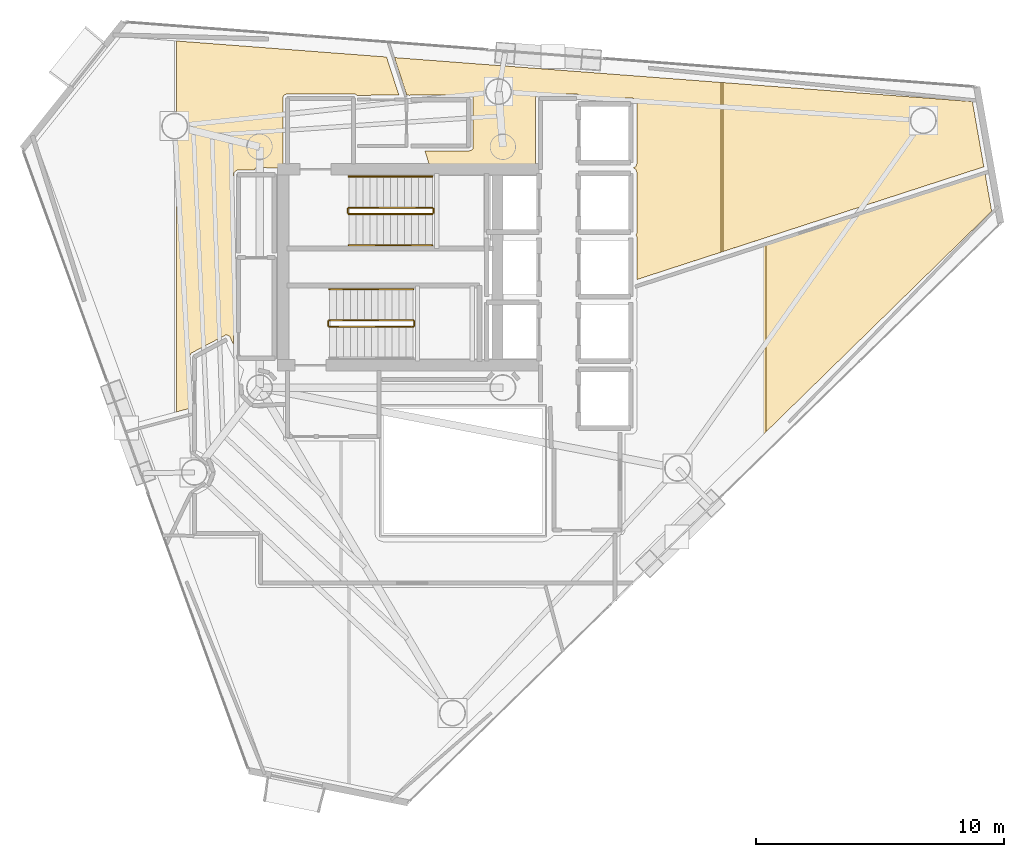
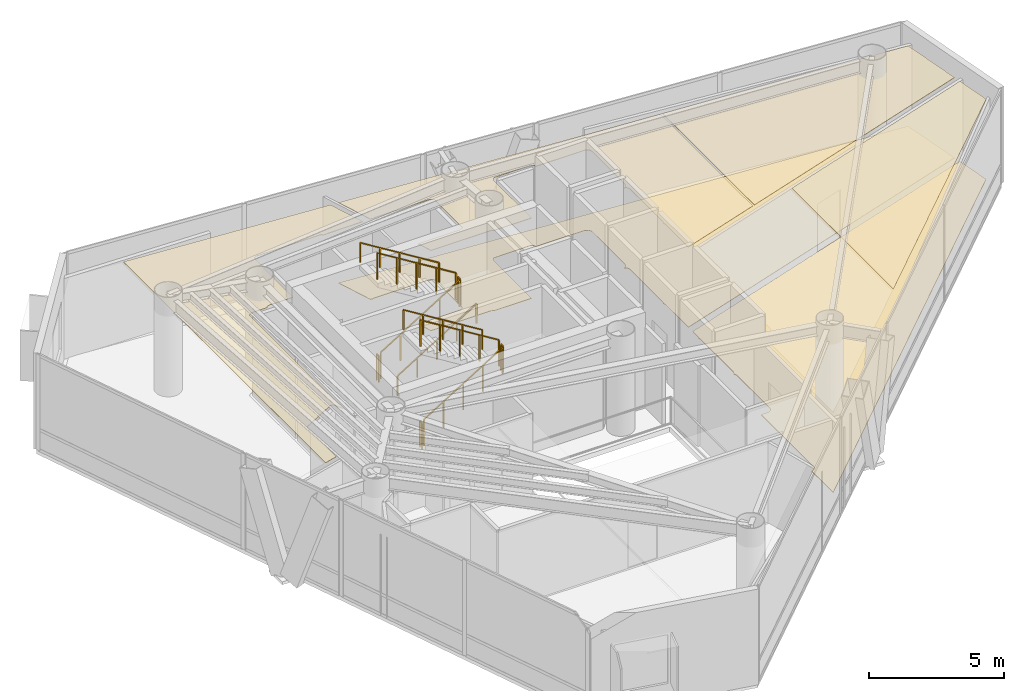
# One storey, part 21 of 21: 11 railings, 6 coverings.
"""IFC4 building model written with IfcOpenShell, lengths in metres."""

from ifc_helpers import new_model, si_unit, direction, frame, origin, origin_2d, place, context, subcontext, project, spatial, polyline, rectangle, outline, extrude, material, layer, layer_set, type_object, element, save


model = new_model("IFC4")

# Units and contexts
model_context = context("Model", 3, precision=1e-05, world=origin(), true_north=direction((0.0, 1.0)))
body_context = subcontext(model_context, "Body", "Model", "MODEL_VIEW")
ifc_project = project(units=[si_unit("LENGTHUNIT", "METRE"), si_unit("AREAUNIT", "SQUARE_METRE"), si_unit("VOLUMEUNIT", "CUBIC_METRE"), si_unit("PLANEANGLEUNIT", "RADIAN"), si_unit("MASSUNIT", "GRAM", prefix="KILO")], contexts=[model_context])

# Site, building, storey
site_placement = place(None, origin())
site = spatial("IfcSite", under=ifc_project, at=site_placement, CompositionType="ELEMENT")
building_placement = place(site_placement, origin())
building = spatial("IfcBuilding", under=site, at=building_placement, Name="Qianvela Tower", CompositionType="ELEMENT")
storey_placement = place(building_placement, frame((0.0, 0.0, 234.5)))
storey = spatial("IfcBuildingStorey", under=building, at=storey_placement, Name="L60", CompositionType="ELEMENT", Elevation=234.5)

# Coverings
ifc_material_1 = material(Name="Perforated Mineral Acoustic Ceiling Tile")
ifc_layer_1 = layer(ifc_material_1, 0.02490234375)
ifc_layer_set_1 = layer_set([ifc_layer_1], Name="Perforated Mineral Acoustic Ceiling Tile")
covering_type_1 = type_object("IfcCoveringType", Name="COV-CEIL-ACOUSTIC-25", PredefinedType="CEILING", material=ifc_layer_set_1)
covering_1_placement = place(storey_placement, frame((0.0, 0.0, 3.614990234375)))
element("IfcCovering", 1, at=covering_1_placement, inside=storey, type_object=covering_type_1, Name="L60 Acoustic Ceiling Bay 2 L60 Sky Transfer Reception", PredefinedType="CEILING", context=body_context, shape_type="SweptSolid", body=[
    extrude(outline(polyline([(57.82421875, 32.446044921875), (58.086669921875, 30.9541015625), (49.005615234375, 22.076171875), (49.005615234375, 29.580810546875), (57.82421875, 32.446044921875)])), origin(), (0.0, 0.0, 1.0), 0.02490234375),
])
covering_2_placement = place(storey_placement, frame((0.0, 0.0, 3.614990234375)))
element("IfcCovering", 2, at=covering_2_placement, inside=storey, type_object=covering_type_1, Name="L60 Acoustic Ceiling Bay 1 L60 Graduate Study Lounge", PredefinedType="CEILING", context=body_context, shape_type="SweptSolid", body=[
    extrude(outline(polyline([(43.722412109375, 32.739013671875), (43.729248046875, 32.74267578125), (43.73583984375, 32.746826171875), (43.741943359375, 32.751953125), (43.74755859375, 32.757568359375), (43.75244140625, 32.763427734375), (43.7568359375, 32.77001953125), (43.760498046875, 32.777099609375), (43.763427734375, 32.7841796875), (43.79541015625, 32.873046875), (43.7978515625, 32.8818359375), (43.799560546875, 32.890869140625), (43.800048828125, 32.89990234375), (43.800048828125, 35.300048828125), (43.799560546875, 35.30908203125), (43.7978515625, 35.318115234375), (43.79541015625, 35.326904296875), (43.763427734375, 35.415771484375), (43.7607421875, 35.422607421875), (43.75732421875, 35.42919921875), (43.75341796875, 35.435302734375), (43.748779296875, 35.441162109375), (43.74365234375, 35.4462890625), (43.73828125, 35.451416015625), (43.732421875, 35.45556640625), (43.725830078125, 35.45947265625), (43.63134765625, 35.510009765625), (43.624267578125, 35.51318359375), (43.616943359375, 35.515869140625), (43.609375, 35.517822265625), (43.6015625, 35.518798828125), (43.59375, 35.519287109375), (41.513916015625, 35.52001953125), (41.51025390625, 35.564208984375), (41.50927734375, 35.57177734375), (41.5078125, 35.5791015625), (41.50537109375, 35.586181640625), (41.502197265625, 35.59326171875), (41.49853515625, 35.599853515625), (41.494140625, 35.606201171875), (41.4892578125, 35.612060546875), (41.48388671875, 35.6171875), (41.47802734375, 35.6220703125), (41.4716796875, 35.626220703125), (41.401123046875, 35.668701171875), (41.394775390625, 35.672119140625), (41.387939453125, 35.675048828125), (41.381103515625, 35.67724609375), (41.373779296875, 35.6787109375), (41.36669921875, 35.6796875), (41.359375, 35.679931640625), (39.834716796875, 35.66650390625), (39.8271484375, 35.666015625), (39.8193359375, 35.664794921875), (39.811767578125, 35.662841796875), (39.804443359375, 35.660400390625), (39.797607421875, 35.656982421875), (39.790771484375, 35.65283203125), (39.78466796875, 35.648193359375), (39.77880859375, 35.642822265625), (39.773681640625, 35.63720703125), (39.76904296875, 35.630859375), (39.764892578125, 35.624267578125), (39.7294921875, 35.5576171875), (39.72607421875, 35.550537109375), (39.723388671875, 35.543212890625), (39.721435546875, 35.53564453125), (39.720458984375, 35.52783203125), (39.719970703125, 35.52001953125), (39.719970703125, 32.719970703125), (38.125, 32.719970703125), (38.03369140625, 32.762451171875), (38.025634765625, 32.765625), (38.017333984375, 32.76806640625), (38.0087890625, 32.76953125), (38.0, 32.77001953125), (35.4580078125, 32.77001953125), (35.256591796875, 33.389892578125), (37.050048828125, 33.389892578125), (37.057861328125, 33.390380859375), (37.065673828125, 33.3916015625), (37.0732421875, 33.393310546875), (37.08056640625, 33.39599609375), (37.087646484375, 33.3994140625), (37.154296875, 33.43505859375), (37.160888671875, 33.43896484375), (37.167236328125, 33.443603515625), (37.173095703125, 33.448974609375), (37.17822265625, 33.45458984375), (37.182861328125, 33.4609375), (37.18701171875, 33.467529296875), (37.190185546875, 33.474609375), (37.193115234375, 33.482177734375), (37.19482421875, 33.489501953125), (37.196044921875, 33.497314453125), (37.196533203125, 33.505126953125), (37.20654296875, 35.502685546875), (37.206298828125, 35.51025390625), (37.205078125, 35.517578125), (37.20361328125, 35.52490234375), (37.201171875, 35.5322265625), (37.197998046875, 35.5390625), (37.1943359375, 35.545654296875), (37.190185546875, 35.5517578125), (37.185302734375, 35.5576171875), (37.179931640625, 35.562744140625), (37.17431640625, 35.5673828125), (37.09765625, 35.624267578125), (37.091552734375, 35.62841796875), (37.085205078125, 35.6318359375), (37.07861328125, 35.634765625), (37.071533203125, 35.636962890625), (37.064453125, 35.638671875), (37.057373046875, 35.6396484375), (37.050048828125, 35.639892578125), (34.699951171875, 35.639892578125), (34.69189453125, 35.6396484375), (34.683837890625, 35.638427734375), (34.676025390625, 35.63623046875), (34.66845703125, 35.633544921875), (34.6611328125, 35.6298828125), (34.654296875, 35.62548828125), (34.632568359375, 35.610595703125), (34.628173828125, 35.61474609375), (34.621826171875, 35.6201171875), (34.614990234375, 35.624755859375), (34.60791015625, 35.628662109375), (34.60009765625, 35.6318359375), (34.59228515625, 35.63427734375), (34.583984375, 35.6357421875), (34.57568359375, 35.636474609375), (34.526123046875, 35.63818359375), (34.036865234375, 37.14404296875), (47.1884765625, 36.14306640625), (47.1884765625, 29.3056640625), (43.800048828125, 28.20458984375), (43.800048828125, 29.89990234375), (43.799560546875, 29.907958984375), (43.79833984375, 29.915771484375), (43.79638671875, 29.923583984375), (43.793701171875, 29.93115234375), (43.7646484375, 30.0), (43.793701171875, 30.06884765625), (43.79638671875, 30.076416015625), (43.79833984375, 30.084228515625), (43.799560546875, 30.092041015625), (43.800048828125, 30.10009765625), (43.800048828125, 32.5), (43.799560546875, 32.509033203125), (43.7978515625, 32.518310546875), (43.79541015625, 32.527099609375), (43.763427734375, 32.61572265625), (43.7607421875, 32.62255859375), (43.75732421875, 32.629150390625), (43.75341796875, 32.63525390625), (43.748779296875, 32.64111328125), (43.74365234375, 32.646484375), (43.73828125, 32.6513671875), (43.732421875, 32.655517578125), (43.725830078125, 32.659423828125), (43.6455078125, 32.702392578125), (43.722412109375, 32.739013671875)])), origin(), (0.0, 0.0, 1.0), 0.02490234375),
])
covering_3_placement = place(storey_placement, frame((0.0, 0.0, 3.614990234375)))
element("IfcCovering", 3, at=covering_3_placement, inside=storey, type_object=covering_type_1, Name="L60 Acoustic Ceiling Bay 2 L60 Graduate Study Lounge", PredefinedType="CEILING", context=body_context, shape_type="SweptSolid", body=[
    extrude(outline(polyline([(57.309326171875, 35.37255859375), (57.771728515625, 32.744384765625), (47.268310546875, 29.331787109375), (47.268310546875, 36.136962890625), (57.309326171875, 35.37255859375)])), origin(), (0.0, 0.0, 1.0), 0.02490234375),
])
covering_4_placement = place(storey_placement, frame((0.0, 0.0, 3.614990234375)))
element("IfcCovering", 4, at=covering_4_placement, inside=storey, type_object=covering_type_1, Name="L60 Acoustic Ceiling Bay 2 L60 Shared Sky Kitchen and Cafe", PredefinedType="CEILING", context=body_context, shape_type="SweptSolid", body=[
    extrude(outline(polyline([(27.566162109375, 29.150634765625), (27.5634765625, 29.143310546875), (27.5615234375, 29.135498046875), (27.560302734375, 29.127685546875), (27.56005859375, 29.1201171875), (27.56005859375, 25.567626953125), (27.406005859375, 25.892333984375), (27.402099609375, 25.8994140625), (27.397705078125, 25.906005859375), (27.392578125, 25.912353515625), (27.38671875, 25.91796875), (27.38037109375, 25.923095703125), (27.37353515625, 25.927490234375), (27.306396484375, 25.966064453125), (27.29931640625, 25.969482421875), (27.291748046875, 25.972412109375), (27.283935546875, 25.974609375), (27.27587890625, 25.97607421875), (27.26806640625, 25.9765625), (27.260009765625, 25.976318359375), (27.251953125, 25.97509765625), (27.244140625, 25.973388671875), (27.236572265625, 25.970703125), (27.229248046875, 25.96728515625), (25.868408203125, 25.2509765625), (25.861572265625, 25.246826171875), (25.85498046875, 25.2421875), (25.84912109375, 25.23681640625), (25.84375, 25.23095703125), (25.839111328125, 25.224609375), (25.8349609375, 25.2177734375), (25.79931640625, 25.1513671875), (25.796142578125, 25.144287109375), (25.79345703125, 25.13671875), (25.79150390625, 25.129150390625), (25.790283203125, 25.121337890625), (25.7900390625, 25.113525390625), (25.7900390625, 23.017578125), (25.2509765625, 22.873291015625), (25.2509765625, 37.81298828125), (33.71337890625, 37.168701171875), (34.21044921875, 35.638916015625), (32.5244140625, 35.620361328125), (32.468994140625, 35.6630859375), (32.462890625, 35.66748046875), (32.456298828125, 35.67138671875), (32.449462890625, 35.67431640625), (32.4423828125, 35.6767578125), (32.43505859375, 35.6787109375), (32.427490234375, 35.6796875), (32.419921875, 35.679931640625), (29.699951171875, 35.679931640625), (29.692138671875, 35.6796875), (29.684326171875, 35.678466796875), (29.6767578125, 35.676513671875), (29.66943359375, 35.673828125), (29.662353515625, 35.670654296875), (29.595703125, 35.635009765625), (29.589111328125, 35.631103515625), (29.582763671875, 35.626220703125), (29.576904296875, 35.62109375), (29.57177734375, 35.615234375), (29.567138671875, 35.60888671875), (29.56298828125, 35.602294921875), (29.559814453125, 35.59521484375), (29.556884765625, 35.587890625), (29.55517578125, 35.580322265625), (29.553955078125, 35.572509765625), (29.553466796875, 35.564697265625), (29.540283203125, 32.700439453125), (28.54296875, 32.709716796875), (28.53662109375, 32.70947265625), (28.530029296875, 32.708740234375), (28.4677734375, 32.69921875), (28.460205078125, 32.697509765625), (28.452880859375, 32.6953125), (28.446044921875, 32.6923828125), (28.439208984375, 32.688720703125), (28.432861328125, 32.6845703125), (28.427001953125, 32.6796875), (28.42138671875, 32.674560546875), (28.41650390625, 32.668701171875), (28.412109375, 32.662353515625), (28.408447265625, 32.65576171875), (28.405517578125, 32.648681640625), (28.403076171875, 32.6416015625), (28.4013671875, 32.634033203125), (28.400390625, 32.62646484375), (28.39892578125, 32.610107421875), (27.712158203125, 32.609619140625), (27.70361328125, 32.609130859375), (27.6953125, 32.60791015625), (27.687255859375, 32.605712890625), (27.679443359375, 32.6025390625), (27.672119140625, 32.598876953125), (27.664794921875, 32.59423828125), (27.658447265625, 32.5888671875), (27.587890625, 32.52490234375), (27.581787109375, 32.51904296875), (27.57666015625, 32.512451171875), (27.572265625, 32.505615234375), (27.568359375, 32.498046875), (27.5654296875, 32.490234375), (27.563232421875, 32.482177734375), (27.56201171875, 32.47412109375), (27.5615234375, 32.465576171875), (27.56005859375, 29.280029296875), (27.560302734375, 29.272216796875), (27.5615234375, 29.264404296875), (27.5634765625, 29.2568359375), (27.566162109375, 29.24951171875), (27.58642578125, 29.199951171875), (27.566162109375, 29.150634765625)])), origin(), (0.0, 0.0, 1.0), 0.02490234375),
])
ifc_material_2 = material(Name="Engineered Acoustic Oak Timber Flooring", Category="wood")
ifc_layer_2 = layer(ifc_material_2, 0.02001953125)
ifc_layer_set_2 = layer_set([ifc_layer_2], Name="Engineered Acoustic Oak Timber Flooring")
covering_type_2 = type_object("IfcCoveringType", Name="COV-FLOOR-OAK-20", PredefinedType="FLOORING", material=ifc_layer_set_2)
covering_5_placement = place(storey_placement, origin())
element("IfcCovering", 5, at=covering_5_placement, inside=storey, type_object=covering_type_2, Name="L60 Finish Flooring L60 Graduate Study Lounge", PredefinedType="FLOORING", context=body_context, shape_type="SweptSolid", body=[
    extrude(outline(polyline([(43.6455078125, 32.702392578125), (43.722412109375, 32.739013671875), (43.729248046875, 32.74267578125), (43.73583984375, 32.746826171875), (43.741943359375, 32.751953125), (43.74755859375, 32.757568359375), (43.75244140625, 32.763427734375), (43.7568359375, 32.77001953125), (43.760498046875, 32.777099609375), (43.763427734375, 32.7841796875), (43.79541015625, 32.873046875), (43.7978515625, 32.8818359375), (43.799560546875, 32.890869140625), (43.800048828125, 32.89990234375), (43.800048828125, 35.300048828125), (43.799560546875, 35.30908203125), (43.7978515625, 35.318115234375), (43.79541015625, 35.326904296875), (43.763427734375, 35.415771484375), (43.7607421875, 35.422607421875), (43.75732421875, 35.42919921875), (43.75341796875, 35.435302734375), (43.748779296875, 35.441162109375), (43.74365234375, 35.4462890625), (43.73828125, 35.451416015625), (43.732421875, 35.45556640625), (43.725830078125, 35.45947265625), (43.63134765625, 35.510009765625), (43.624267578125, 35.51318359375), (43.616943359375, 35.515869140625), (43.609375, 35.517822265625), (43.6015625, 35.518798828125), (43.59375, 35.519287109375), (41.513916015625, 35.52001953125), (41.51025390625, 35.564208984375), (41.50927734375, 35.57177734375), (41.5078125, 35.5791015625), (41.50537109375, 35.586181640625), (41.502197265625, 35.59326171875), (41.49853515625, 35.599853515625), (41.494140625, 35.606201171875), (41.4892578125, 35.612060546875), (41.48388671875, 35.6171875), (41.47802734375, 35.6220703125), (41.4716796875, 35.626220703125), (41.401123046875, 35.668701171875), (41.394775390625, 35.672119140625), (41.387939453125, 35.675048828125), (41.381103515625, 35.67724609375), (41.373779296875, 35.6787109375), (41.36669921875, 35.6796875), (41.359375, 35.679931640625), (39.834716796875, 35.66650390625), (39.8271484375, 35.666015625), (39.8193359375, 35.664794921875), (39.811767578125, 35.662841796875), (39.804443359375, 35.660400390625), (39.797607421875, 35.656982421875), (39.790771484375, 35.65283203125), (39.78466796875, 35.648193359375), (39.77880859375, 35.642822265625), (39.773681640625, 35.63720703125), (39.76904296875, 35.630859375), (39.764892578125, 35.624267578125), (39.7294921875, 35.5576171875), (39.72607421875, 35.550537109375), (39.723388671875, 35.543212890625), (39.721435546875, 35.53564453125), (39.720458984375, 35.52783203125), (39.719970703125, 35.52001953125), (39.719970703125, 32.719970703125), (38.125, 32.719970703125), (38.03369140625, 32.762451171875), (38.025634765625, 32.765625), (38.017333984375, 32.76806640625), (38.0087890625, 32.76953125), (38.0, 32.77001953125), (35.4580078125, 32.77001953125), (35.256591796875, 33.389892578125), (37.050048828125, 33.389892578125), (37.057861328125, 33.390380859375), (37.065673828125, 33.3916015625), (37.0732421875, 33.393310546875), (37.08056640625, 33.39599609375), (37.087646484375, 33.3994140625), (37.154296875, 33.43505859375), (37.160888671875, 33.43896484375), (37.167236328125, 33.443603515625), (37.173095703125, 33.448974609375), (37.17822265625, 33.45458984375), (37.182861328125, 33.4609375), (37.18701171875, 33.467529296875), (37.190185546875, 33.474609375), (37.193115234375, 33.482177734375), (37.19482421875, 33.489501953125), (37.196044921875, 33.497314453125), (37.196533203125, 33.505126953125), (37.20654296875, 35.502685546875), (37.206298828125, 35.51025390625), (37.205078125, 35.517578125), (37.20361328125, 35.52490234375), (37.201171875, 35.5322265625), (37.197998046875, 35.5390625), (37.1943359375, 35.545654296875), (37.190185546875, 35.5517578125), (37.185302734375, 35.5576171875), (37.179931640625, 35.562744140625), (37.17431640625, 35.5673828125), (37.09765625, 35.624267578125), (37.091552734375, 35.62841796875), (37.085205078125, 35.6318359375), (37.07861328125, 35.634765625), (37.071533203125, 35.636962890625), (37.064453125, 35.638671875), (37.057373046875, 35.6396484375), (37.050048828125, 35.639892578125), (34.699951171875, 35.639892578125), (34.69189453125, 35.6396484375), (34.683837890625, 35.638427734375), (34.676025390625, 35.63623046875), (34.66845703125, 35.633544921875), (34.6611328125, 35.6298828125), (34.654296875, 35.62548828125), (34.632568359375, 35.610595703125), (34.628173828125, 35.61474609375), (34.621826171875, 35.6201171875), (34.614990234375, 35.624755859375), (34.60791015625, 35.628662109375), (34.60009765625, 35.6318359375), (34.59228515625, 35.63427734375), (34.583984375, 35.6357421875), (34.57568359375, 35.636474609375), (34.526123046875, 35.63818359375), (34.036865234375, 37.14404296875), (57.309326171875, 35.37255859375), (57.771728515625, 32.744384765625), (43.800048828125, 28.20458984375), (43.800048828125, 29.89990234375), (43.799560546875, 29.907958984375), (43.79833984375, 29.915771484375), (43.79638671875, 29.923583984375), (43.793701171875, 29.93115234375), (43.7646484375, 30.0), (43.793701171875, 30.06884765625), (43.79638671875, 30.076416015625), (43.79833984375, 30.084228515625), (43.799560546875, 30.092041015625), (43.800048828125, 30.10009765625), (43.800048828125, 32.5), (43.799560546875, 32.509033203125), (43.7978515625, 32.518310546875), (43.79541015625, 32.527099609375), (43.763427734375, 32.61572265625), (43.7607421875, 32.62255859375), (43.75732421875, 32.629150390625), (43.75341796875, 32.63525390625), (43.748779296875, 32.64111328125), (43.74365234375, 32.646484375), (43.73828125, 32.6513671875), (43.732421875, 32.655517578125), (43.725830078125, 32.659423828125), (43.6455078125, 32.702392578125)])), origin(), (0.0, 0.0, 1.0), 0.02001953125),
])
ifc_material_3 = material(Name="Honed Stone Terrazzo Flooring", Category="masonry")
ifc_layer_3 = layer(ifc_material_3, 0.030029296875)
ifc_layer_set_3 = layer_set([ifc_layer_3], Name="Honed Stone Terrazzo Flooring")
covering_type_3 = type_object("IfcCoveringType", Name="COV-FLOOR-TERRAZZO-30", PredefinedType="FLOORING", material=ifc_layer_set_3)
covering_6_placement = place(storey_placement, origin())
element("IfcCovering", 6, at=covering_6_placement, inside=storey, type_object=covering_type_3, Name="L60 Finish Flooring L60 Sky Transfer Reception", PredefinedType="FLOORING", context=body_context, shape_type="SweptSolid", body=[
    extrude(outline(polyline([(43.1923828125, 17.9296875), (43.2001953125, 17.930419921875), (43.207763671875, 17.931884765625), (43.215087890625, 17.934326171875), (43.222412109375, 17.937255859375), (43.229248046875, 17.94091796875), (43.235595703125, 17.9453125), (43.24169921875, 17.9501953125), (43.2470703125, 17.955810546875), (43.251953125, 17.9619140625), (43.25634765625, 17.96826171875), (43.298583984375, 18.038818359375), (43.302001953125, 18.045166015625), (43.304931640625, 18.0517578125), (43.30712890625, 18.05859375), (43.30859375, 18.065673828125), (43.309814453125, 18.07275390625), (43.31005859375, 18.080078125), (43.309326171875, 21.981201171875), (43.621826171875, 21.986083984375), (43.62939453125, 21.986572265625), (43.63720703125, 21.98779296875), (43.64453125, 21.98974609375), (43.651611328125, 21.9921875), (43.658447265625, 21.99560546875), (43.6650390625, 21.99951171875), (43.732666015625, 22.044677734375), (43.739013671875, 22.04931640625), (43.744873046875, 22.0546875), (43.75, 22.060302734375), (43.754638671875, 22.066650390625), (43.7587890625, 22.073486328125), (43.76220703125, 22.08056640625), (43.793212890625, 22.15576171875), (43.7958984375, 22.1630859375), (43.7978515625, 22.170654296875), (43.798828125, 22.178466796875), (43.79931640625, 22.186279296875), (43.79736328125, 24.62744140625), (43.796875, 24.635986328125), (43.79541015625, 24.64453125), (43.793212890625, 24.65283203125), (43.7900390625, 24.660888671875), (43.785888671875, 24.66845703125), (43.7373046875, 24.749267578125), (43.7353515625, 24.75244140625), (43.740966796875, 24.755615234375), (43.747314453125, 24.760498046875), (43.7529296875, 24.765625), (43.75830078125, 24.771484375), (43.762939453125, 24.77783203125), (43.76708984375, 24.784423828125), (43.770263671875, 24.79150390625), (43.77294921875, 24.799072265625), (43.796630859375, 24.876708984375), (43.798583984375, 24.884521484375), (43.799560546875, 24.89208984375), (43.800048828125, 24.89990234375), (43.800048828125, 27.300048828125), (43.799560546875, 27.30810546875), (43.79833984375, 27.31591796875), (43.79638671875, 27.323486328125), (43.793701171875, 27.3310546875), (43.765625, 27.397705078125), (43.79150390625, 27.45166015625), (43.794189453125, 27.458251953125), (43.79638671875, 27.465087890625), (43.798095703125, 27.471923828125), (43.799072265625, 27.47900390625), (43.79931640625, 27.486083984375), (43.7998046875, 27.88916015625), (57.82421875, 32.446044921875), (58.086669921875, 30.9541015625), (43.109619140625, 16.31201171875), (43.107421875, 17.924560546875), (43.1923828125, 17.9296875)])), origin(), (0.0, 0.0, 1.0), 0.030029296875),
])

# Railings
ifc_material_4 = material(Name="Painted Tubular Steel Q355B", Category="steel")
railing_type_1 = type_object("IfcRailingType", Name="RL-STAIR-GUARD-1200", PredefinedType="GUARDRAIL", material=ifc_material_4)
railing_1_placement = place(storey_placement, frame((32.199951171875, 30.840087890625, 0.173095703125)))
element("IfcRailing", 7, at=railing_1_placement, inside=storey, type_object=railing_type_1, Name="L60 ST-1 stair guard 1", PredefinedType="GUARDRAIL", context=body_context, shape_type="SweptSolid", body=[
    extrude(rectangle(XDim=0.050048828125, YDim=0.0400390625, at=origin_2d()), frame((0.0, 0.0, 1.179931640625), z_axis=(0.850623216509, 0.0, 0.525775754039), x_axis=(0.0, 1.0, 0.0)), (0.0, 0.0, 1.0), 3.9501953125),
    extrude(rectangle(XDim=0.050048828125, YDim=0.050048828125, at=origin_2d()), origin(), (0.0, 0.0, 1.0), 1.159912109375),
    extrude(rectangle(XDim=0.050048828125, YDim=0.050048828125, at=origin_2d()), frame((0.840087890625, 0.0, 0.519287109375)), (0.0, 0.0, 1.0), 1.159912109375),
    extrude(rectangle(XDim=0.050048828125, YDim=0.050048828125, at=origin_2d()), frame((1.68017578125, 0.0, 1.03857421875)), (0.0, 0.0, 1.0), 1.159912109375),
    extrude(rectangle(XDim=0.050048828125, YDim=0.050048828125, at=origin_2d()), frame((2.52001953125, 0.0, 1.5576171875)), (0.0, 0.0, 1.0), 1.159912109375),
    extrude(rectangle(XDim=0.050048828125, YDim=0.050048828125, at=origin_2d()), frame((3.360107421875, 0.0, 2.076904296875)), (0.0, 0.0, 1.0), 1.159912109375),
])
railing_2_placement = place(storey_placement, frame((35.610107421875, 30.889892578125, 2.25)))
element("IfcRailing", 8, at=railing_2_placement, inside=storey, type_object=railing_type_1, Name="L60 ST-1 stair guard 2", PredefinedType="GUARDRAIL", context=body_context, shape_type="SweptSolid", body=[
    extrude(rectangle(XDim=0.050048828125, YDim=0.0400390625, at=origin_2d()), frame((0.0, 0.0, 1.179931640625), z_axis=(0.0, 1.0, 0.0), x_axis=(-1.0, 0.0, 0.0)), (0.0, 0.0, 1.0), 0.16015625),
    extrude(rectangle(XDim=0.050048828125, YDim=0.050048828125, at=origin_2d()), origin(), (0.0, 0.0, 1.0), 1.159912109375),
    extrude(rectangle(XDim=0.050048828125, YDim=0.050048828125, at=origin_2d()), frame((0.0, 0.16015625, 0.0)), (0.0, 0.0, 1.0), 1.159912109375),
])
railing_3_placement = place(storey_placement, frame((35.56005859375, 31.10009765625, 2.423095703125)))
element("IfcRailing", 9, at=railing_3_placement, inside=storey, type_object=railing_type_1, Name="L60 ST-1 stair guard 3", PredefinedType="GUARDRAIL", context=body_context, shape_type="SweptSolid", body=[
    extrude(rectangle(XDim=0.050048828125, YDim=0.0400390625, at=origin_2d()), frame((0.0, 0.0, 1.179931640625), z_axis=(-0.850623216509, 0.0, 0.525775754039), x_axis=(0.0, -1.0, 0.0)), (0.0, 0.0, 1.0), 3.9501953125),
    extrude(rectangle(XDim=0.050048828125, YDim=0.050048828125, at=origin_2d()), origin(), (0.0, 0.0, 1.0), 1.159912109375),
    extrude(rectangle(XDim=0.050048828125, YDim=0.050048828125, at=origin_2d()), frame((-0.840087890625, 0.0, 0.519287109375)), (0.0, 0.0, 1.0), 1.159912109375),
    extrude(rectangle(XDim=0.050048828125, YDim=0.050048828125, at=origin_2d()), frame((-1.68017578125, 0.0, 1.03857421875)), (0.0, 0.0, 1.0), 1.159912109375),
    extrude(rectangle(XDim=0.050048828125, YDim=0.050048828125, at=origin_2d()), frame((-2.52001953125, 0.0, 1.5576171875)), (0.0, 0.0, 1.0), 1.159912109375),
    extrude(rectangle(XDim=0.050048828125, YDim=0.050048828125, at=origin_2d()), frame((-3.360107421875, 0.0, 2.076904296875)), (0.0, 0.0, 1.0), 1.159912109375),
])
railing_4_placement = place(storey_placement, frame((32.14990234375, 30.889892578125, 0.0)))
element("IfcRailing", 10, at=railing_4_placement, inside=storey, type_object=railing_type_1, Name="L60 ST-1 stair guard 4", PredefinedType="GUARDRAIL", context=body_context, shape_type="SweptSolid", body=[
    extrude(rectangle(XDim=0.050048828125, YDim=0.0400390625, at=origin_2d()), frame((0.0, 0.0, 1.179931640625), z_axis=(0.0, 1.0, 0.0), x_axis=(-1.0, 0.0, 0.0)), (0.0, 0.0, 1.0), 0.16015625),
    extrude(rectangle(XDim=0.050048828125, YDim=0.050048828125, at=origin_2d()), origin(), (0.0, 0.0, 1.0), 1.159912109375),
    extrude(rectangle(XDim=0.050048828125, YDim=0.050048828125, at=origin_2d()), frame((0.0, 0.16015625, 0.0)), (0.0, 0.0, 1.0), 1.159912109375),
])
railing_5_placement = place(storey_placement, frame((31.419921875, 26.300048828125, 0.173095703125)))
element("IfcRailing", 11, at=railing_5_placement, inside=storey, type_object=railing_type_1, Name="L60 ST-2 stair guard 1", PredefinedType="GUARDRAIL", context=body_context, shape_type="SweptSolid", body=[
    extrude(rectangle(XDim=0.050048828125, YDim=0.0400390625, at=origin_2d()), frame((0.0, 0.0, 1.179931640625), z_axis=(0.850623216509, 0.0, 0.525775754039), x_axis=(0.0, 1.0, 0.0)), (0.0, 0.0, 1.0), 3.9501953125),
    extrude(rectangle(XDim=0.050048828125, YDim=0.050048828125, at=origin_2d()), origin(), (0.0, 0.0, 1.0), 1.159912109375),
    extrude(rectangle(XDim=0.050048828125, YDim=0.050048828125, at=origin_2d()), frame((0.840087890625, 0.0, 0.519287109375)), (0.0, 0.0, 1.0), 1.159912109375),
    extrude(rectangle(XDim=0.050048828125, YDim=0.050048828125, at=origin_2d()), frame((1.68017578125, 0.0, 1.03857421875)), (0.0, 0.0, 1.0), 1.159912109375),
    extrude(rectangle(XDim=0.050048828125, YDim=0.050048828125, at=origin_2d()), frame((2.52001953125, 0.0, 1.5576171875)), (0.0, 0.0, 1.0), 1.159912109375),
    extrude(rectangle(XDim=0.050048828125, YDim=0.050048828125, at=origin_2d()), frame((3.360107421875, 0.0, 2.076904296875)), (0.0, 0.0, 1.0), 1.159912109375),
])
railing_6_placement = place(storey_placement, frame((34.830078125, 26.35009765625, 2.25)))
element("IfcRailing", 12, at=railing_6_placement, inside=storey, type_object=railing_type_1, Name="L60 ST-2 stair guard 2", PredefinedType="GUARDRAIL", context=body_context, shape_type="SweptSolid", body=[
    extrude(rectangle(XDim=0.050048828125, YDim=0.0400390625, at=origin_2d()), frame((0.0, 0.0, 1.179931640625), z_axis=(0.0, 1.0, 0.0), x_axis=(-1.0, 0.0, 0.0)), (0.0, 0.0, 1.0), 0.159912109375),
    extrude(rectangle(XDim=0.050048828125, YDim=0.050048828125, at=origin_2d()), origin(), (0.0, 0.0, 1.0), 1.159912109375),
    extrude(rectangle(XDim=0.050048828125, YDim=0.050048828125, at=origin_2d()), frame((0.0, 0.159912109375, 0.0)), (0.0, 0.0, 1.0), 1.159912109375),
])
railing_7_placement = place(storey_placement, frame((34.780029296875, 26.56005859375, 2.423095703125)))
element("IfcRailing", 13, at=railing_7_placement, inside=storey, type_object=railing_type_1, Name="L60 ST-2 stair guard 3", PredefinedType="GUARDRAIL", context=body_context, shape_type="SweptSolid", body=[
    extrude(rectangle(XDim=0.050048828125, YDim=0.0400390625, at=origin_2d()), frame((0.0, 0.0, 1.179931640625), z_axis=(-0.850623216509, 0.0, 0.525775754039), x_axis=(0.0, -1.0, 0.0)), (0.0, 0.0, 1.0), 3.9501953125),
    extrude(rectangle(XDim=0.050048828125, YDim=0.050048828125, at=origin_2d()), origin(), (0.0, 0.0, 1.0), 1.159912109375),
    extrude(rectangle(XDim=0.050048828125, YDim=0.050048828125, at=origin_2d()), frame((-0.840087890625, 0.0, 0.519287109375)), (0.0, 0.0, 1.0), 1.159912109375),
    extrude(rectangle(XDim=0.050048828125, YDim=0.050048828125, at=origin_2d()), frame((-1.68017578125, 0.0, 1.03857421875)), (0.0, 0.0, 1.0), 1.159912109375),
    extrude(rectangle(XDim=0.050048828125, YDim=0.050048828125, at=origin_2d()), frame((-2.52001953125, 0.0, 1.5576171875)), (0.0, 0.0, 1.0), 1.159912109375),
    extrude(rectangle(XDim=0.050048828125, YDim=0.050048828125, at=origin_2d()), frame((-3.360107421875, 0.0, 2.076904296875)), (0.0, 0.0, 1.0), 1.159912109375),
])
railing_8_placement = place(storey_placement, frame((31.3701171875, 26.35009765625, 0.0)))
element("IfcRailing", 14, at=railing_8_placement, inside=storey, type_object=railing_type_1, Name="L60 ST-2 stair guard 4", PredefinedType="GUARDRAIL", context=body_context, shape_type="SweptSolid", body=[
    extrude(rectangle(XDim=0.050048828125, YDim=0.0400390625, at=origin_2d()), frame((0.0, 0.0, 1.179931640625), z_axis=(0.0, 1.0, 0.0), x_axis=(-1.0, 0.0, 0.0)), (0.0, 0.0, 1.0), 0.159912109375),
    extrude(rectangle(XDim=0.050048828125, YDim=0.050048828125, at=origin_2d()), origin(), (0.0, 0.0, 1.0), 1.159912109375),
    extrude(rectangle(XDim=0.050048828125, YDim=0.050048828125, at=origin_2d()), frame((0.0, 0.159912109375, 0.0)), (0.0, 0.0, 1.0), 1.159912109375),
])
ifc_material_5 = material(Name="Brushed Stainless Steel 304", Category="steel")
railing_type_2 = type_object("IfcRailingType", Name="RL-STAIR-HANDRAIL-900", PredefinedType="HANDRAIL", material=ifc_material_5)
railing_9_placement = place(storey_placement, frame((32.199951171875, 29.590087890625, 0.173095703125)))
element("IfcRailing", 15, at=railing_9_placement, inside=storey, type_object=railing_type_2, Name="L60 ST-1 stair handrail 1", PredefinedType="HANDRAIL", context=body_context, shape_type="SweptSolid", body=[
    extrude(rectangle(XDim=0.050048828125, YDim=0.0400390625, at=origin_2d()), frame((0.0, 0.0, 0.8798828125), z_axis=(0.850623216509, 0.0, 0.525775754039), x_axis=(0.0, 1.0, 0.0)), (0.0, 0.0, 1.0), 3.9501953125),
    extrude(rectangle(XDim=0.050048828125, YDim=0.050048828125, at=origin_2d()), origin(), (0.0, 0.0, 1.0), 0.85986328125),
    extrude(rectangle(XDim=0.050048828125, YDim=0.050048828125, at=origin_2d()), frame((0.840087890625, 0.0, 0.519287109375)), (0.0, 0.0, 1.0), 0.85986328125),
    extrude(rectangle(XDim=0.050048828125, YDim=0.050048828125, at=origin_2d()), frame((1.68017578125, 0.0, 1.03857421875)), (0.0, 0.0, 1.0), 0.85986328125),
    extrude(rectangle(XDim=0.050048828125, YDim=0.050048828125, at=origin_2d()), frame((2.52001953125, 0.0, 1.5576171875)), (0.0, 0.0, 1.0), 0.85986328125),
    extrude(rectangle(XDim=0.050048828125, YDim=0.050048828125, at=origin_2d()), frame((3.360107421875, 0.0, 2.076904296875)), (0.0, 0.0, 1.0), 0.85986328125),
])
for number, where, name in (
    (16, (35.56005859375, 32.35009765625, 2.423095703125), "L60 ST-1 stair handrail 2"),
    (17, (34.780029296875, 27.81005859375, 2.423095703125), "L60 ST-2 stair handrail 2"),
):
    element("IfcRailing", number, at=place(storey_placement, frame(where)), inside=storey, type_object=railing_type_2, Name=name, PredefinedType="HANDRAIL", context=body_context, shape_type="SweptSolid", body=[
        extrude(rectangle(XDim=0.050048828125, YDim=0.0400390625, at=origin_2d()), frame((0.0, 0.0, 0.8798828125), z_axis=(-0.850623216509, 0.0, 0.525775754039), x_axis=(0.0, -1.0, 0.0)), (0.0, 0.0, 1.0), 3.9501953125),
        extrude(rectangle(XDim=0.050048828125, YDim=0.050048828125, at=origin_2d()), origin(), (0.0, 0.0, 1.0), 0.85986328125),
        extrude(rectangle(XDim=0.050048828125, YDim=0.050048828125, at=origin_2d()), frame((-0.840087890625, 0.0, 0.519287109375)), (0.0, 0.0, 1.0), 0.85986328125),
        extrude(rectangle(XDim=0.050048828125, YDim=0.050048828125, at=origin_2d()), frame((-1.68017578125, 0.0, 1.03857421875)), (0.0, 0.0, 1.0), 0.85986328125),
        extrude(rectangle(XDim=0.050048828125, YDim=0.050048828125, at=origin_2d()), frame((-2.52001953125, 0.0, 1.5576171875)), (0.0, 0.0, 1.0), 0.85986328125),
        extrude(rectangle(XDim=0.050048828125, YDim=0.050048828125, at=origin_2d()), frame((-3.360107421875, 0.0, 2.076904296875)), (0.0, 0.0, 1.0), 0.85986328125),
    ])

save(model, "model.ifc")
